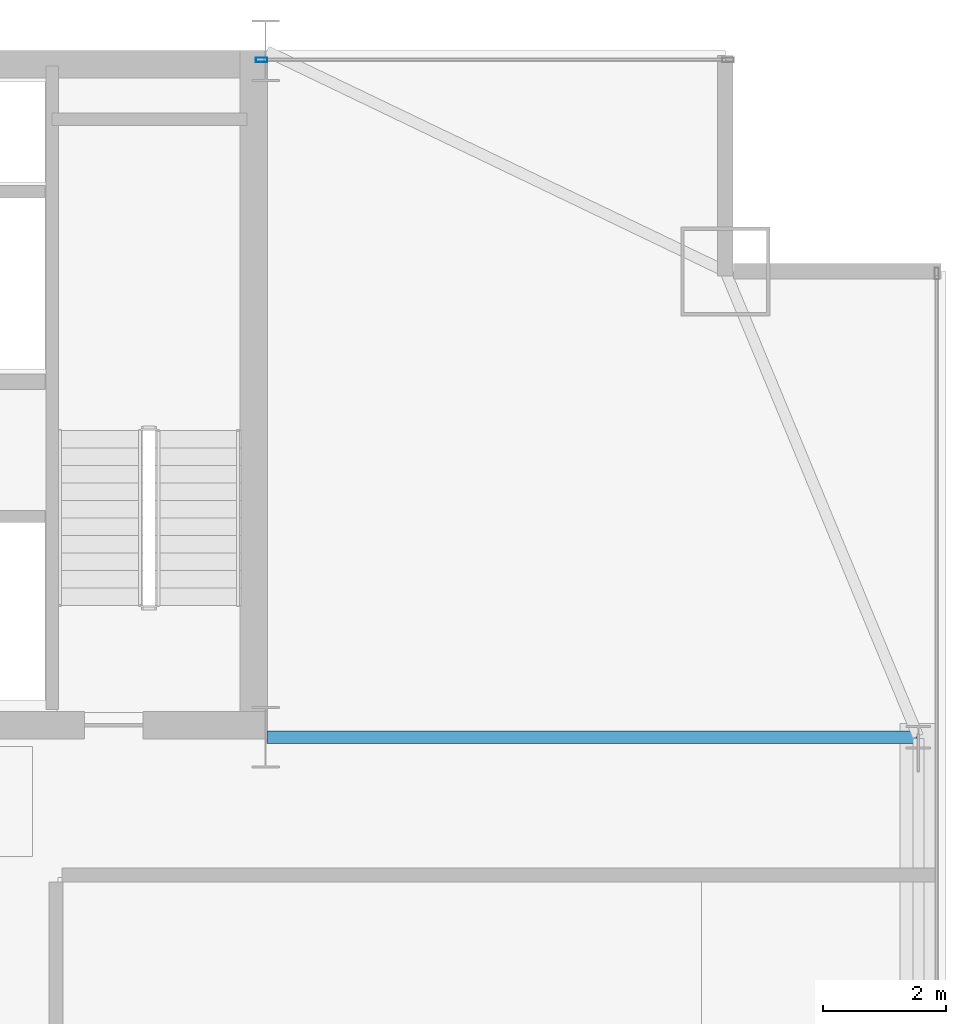
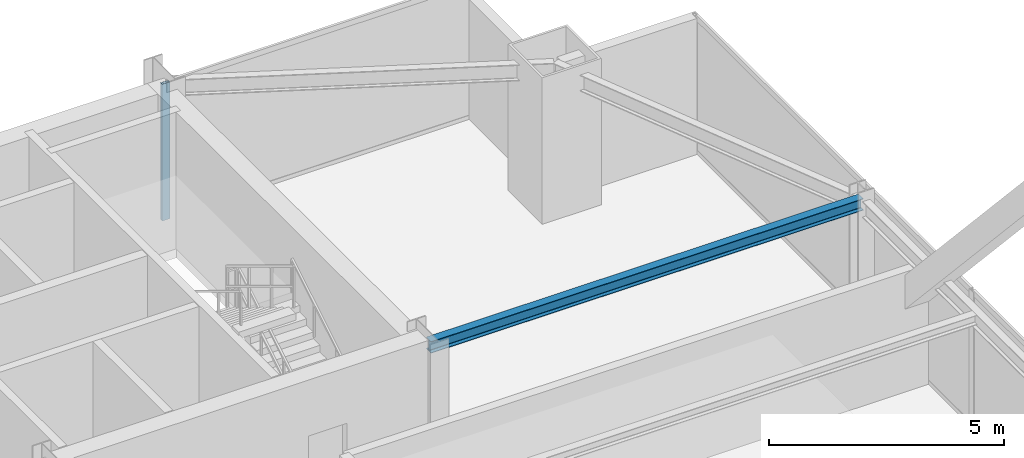
# One storey, part 26 of 38: 1 beam, 1 member, 1 element without a shape of its own.
"""IFC4 building model written with IfcOpenShell, lengths in metres."""

import ifcopenshell
import ifcopenshell.guid

model = None  # the IFC model being written
_history = None  # IfcOwnerHistory: only IFC2X3 demands one
_inside = {}  # id of a spatial element -> (the spatial element, [elements in it])
_under = {}  # id of a project, library or spatial element -> (it, [spatial elements below it])
_declared = {}  # id of a project -> (the project, [libraries it declares])
_typed = {}  # id of a type object -> (the type object, [elements of that type])
_made_of = {}  # id of a material, layer set ... -> (it, [elements and type objects made of it])


def new_model(schema):
    """Start an empty IFC model of exactly this schema.

    Asked for "IFC4X3", IfcOpenShell would pick the latest addendum, in which some entities
    have other attributes; the version numbers below select the first issue.
    IFC2X3 requires an IfcOwnerHistory on every rooted entity: one is made here for all.
    """
    global model, _history
    if schema == "IFC4X3":
        model = ifcopenshell.file(schema_version=(4, 3, 0, 0))
    else:
        model = ifcopenshell.file(schema=schema)
    _inside.clear()
    _under.clear()
    _declared.clear()
    _typed.clear()
    _made_of.clear()
    _history = None
    if model.schema == "IFC2X3":
        org = make("IfcOrganization", Name="unknown")
        user = make(
            "IfcPersonAndOrganization",
            ThePerson=make("IfcPerson", FamilyName="unknown"),
            TheOrganization=org,
        )
        app = make(
            "IfcApplication",
            ApplicationDeveloper=org,
            Version="unknown",
            ApplicationFullName="unknown",
            ApplicationIdentifier="unknown",
        )
        _history = make(
            "IfcOwnerHistory",
            OwningUser=user,
            OwningApplication=app,
            ChangeAction="ADDED",
            CreationDate=0,
        )
    return model


def make(cls, **values):
    """One entity of the class cls with the attributes given. An attribute that is None is left unset."""
    return model.create_entity(
        cls, **{name: value for name, value in values.items() if value is not None}
    )


def rooted(cls, **values):
    """An entity with a GlobalId (a new one), such as an element, a storey or a relation."""
    return make(cls, GlobalId=ifcopenshell.guid.new(), OwnerHistory=_history, **values)


def si_unit(unit_type, name, prefix=None):
    """IfcSIUnit, for example si_unit("LENGTHUNIT", "METRE", prefix="MILLI")."""
    return make("IfcSIUnit", UnitType=unit_type, Prefix=prefix, Name=name)


def assignment(units):
    """IfcUnitAssignment: the units of a project."""
    return None if units is None else make("IfcUnitAssignment", Units=units)


def point(xyz):
    """IfcCartesianPoint."""
    return None if xyz is None else make("IfcCartesianPoint", Coordinates=xyz)


def direction(xyz):
    """IfcDirection."""
    return None if xyz is None else make("IfcDirection", DirectionRatios=xyz)


def frame(location, z_axis=None, x_axis=None):
    """IfcAxis2Placement3D, a coordinate frame: its origin and axes. An axis left out is left unset."""
    return make(
        "IfcAxis2Placement3D",
        Location=point(location),
        Axis=direction(z_axis),
        RefDirection=direction(x_axis),
    )


def frame_2d(location, x_axis=None):
    """IfcAxis2Placement2D, a coordinate frame in the plane: its origin and x axis."""
    return make(
        "IfcAxis2Placement2D", Location=point(location), RefDirection=direction(x_axis)
    )


def origin():
    """The frame at (0, 0, 0) with its axes left unset."""
    return frame((0.0, 0.0, 0.0))


def origin_2d():
    """The frame at (0, 0) in the plane with its x axis left unset."""
    return frame_2d((0.0, 0.0))


def place(relative_to, where):
    """IfcLocalPlacement: puts the frame where relative to a parent placement (None: the world)."""
    return make(
        "IfcLocalPlacement", PlacementRelTo=relative_to, RelativePlacement=where
    )


def context(
    kind, dimensions, precision=None, world=None, true_north=None, identifier=None
):
    """IfcGeometricRepresentationContext, for example the 3D "Model" context."""
    return make(
        "IfcGeometricRepresentationContext",
        ContextIdentifier=identifier,
        ContextType=kind,
        CoordinateSpaceDimension=dimensions,
        Precision=precision,
        WorldCoordinateSystem=world,
        TrueNorth=true_north,
    )


def subcontext(parent, identifier, kind, view, scale=None):
    """IfcGeometricRepresentationSubContext, for example "Body" below "Model"."""
    return make(
        "IfcGeometricRepresentationSubContext",
        ContextIdentifier=identifier,
        ContextType=kind,
        ParentContext=parent,
        TargetScale=scale,
        TargetView=view,
    )


def project(units=None, contexts=None):
    """IfcProject with its units and contexts."""
    return rooted(
        "IfcProject",
        Name="project",
        RepresentationContexts=contexts,
        UnitsInContext=assignment(units),
    )


def spatial(cls, under=None, at=None, **own):
    """A site, building, storey or space (cls), placed at a placement, below another one or the project."""
    s = rooted(cls, ObjectPlacement=at, **own)
    if under is not None:
        _under.setdefault(under.id(), (under, []))[1].append(s)
    return s


def profile(cls, at=None, kind="AREA", **sizes):
    """A parametric profile (cls). Its sizes go by their IFC names, for example OverallWidth=200.0."""
    return make(cls, ProfileType=kind, Position=at, **sizes)


def hollow_rectangle(**sizes):
    """IfcRectangleHollowProfileDef."""
    return profile("IfcRectangleHollowProfileDef", **sizes)


def i_section(**sizes):
    """IfcIShapeProfileDef."""
    return profile("IfcIShapeProfileDef", **sizes)


def extrude(swept, where, along, depth):
    """IfcExtrudedAreaSolid: the profile swept, set in the frame where, extruded along a direction by depth."""
    return make(
        "IfcExtrudedAreaSolid",
        SweptArea=swept,
        Position=where,
        ExtrudedDirection=direction(along),
        Depth=depth,
    )


def shape(context_of_items, identifier, shape_type, items):
    """IfcShapeRepresentation: the items that make up one representation, for example the "Body"."""
    return make(
        "IfcShapeRepresentation",
        ContextOfItems=context_of_items,
        RepresentationIdentifier=identifier,
        RepresentationType=shape_type,
        Items=items,
    )


def source(mapping_origin, context_of_items, identifier, shape_type, items):
    """IfcRepresentationMap: a shape defined once, which mapped items show again and again."""
    return make(
        "IfcRepresentationMap",
        MappingOrigin=mapping_origin,
        MappedRepresentation=shape(context_of_items, identifier, shape_type, items),
    )


def transform(
    local_origin,
    x_axis=None,
    y_axis=None,
    z_axis=None,
    scale=None,
    scale2=None,
    scale3=None,
    uniform=True,
):
    """IfcCartesianTransformationOperator3D, or its non-uniform kind. x_axis, y_axis, z_axis: its Axis1, 2, 3."""
    if uniform:
        return make(
            "IfcCartesianTransformationOperator3D",
            Axis1=direction(x_axis),
            Axis2=direction(y_axis),
            LocalOrigin=point(local_origin),
            Scale=scale,
            Axis3=direction(z_axis),
        )
    return make(
        "IfcCartesianTransformationOperator3DnonUniform",
        Axis1=direction(x_axis),
        Axis2=direction(y_axis),
        LocalOrigin=point(local_origin),
        Scale=scale,
        Axis3=direction(z_axis),
        Scale2=scale2,
        Scale3=scale3,
    )


def mapped(mapping_source, mapping_target):
    """IfcMappedItem: shows the shape of a source again, moved by a transform."""
    return make(
        "IfcMappedItem", MappingSource=mapping_source, MappingTarget=mapping_target
    )


def material(Name=None, Category=None):
    """IfcMaterial."""
    return make("IfcMaterial", Name=Name, Category=Category)


def layer(
    of_material, thickness, ventilated=None, Name=None, Category=None, Priority=None
):
    """IfcMaterialLayer: one layer of a wall or slab, of a material (None: an air gap)."""
    return make(
        "IfcMaterialLayer",
        Material=of_material,
        LayerThickness=thickness,
        IsVentilated=ventilated,
        Name=Name,
        Category=Category,
        Priority=Priority,
    )


def layer_set(layers, Name=None):
    """IfcMaterialLayerSet."""
    return make("IfcMaterialLayerSet", MaterialLayers=layers, LayerSetName=Name)


def material_profile(
    of_material, cross_section, Name=None, Category=None, Priority=None
):
    """IfcMaterialProfile: a cross section and its material."""
    return make(
        "IfcMaterialProfile",
        Name=Name,
        Material=of_material,
        Profile=cross_section,
        Priority=Priority,
        Category=Category,
    )


def profile_set(profiles, Name=None, composite=None):
    """IfcMaterialProfileSet."""
    return make(
        "IfcMaterialProfileSet",
        Name=Name,
        MaterialProfiles=profiles,
        CompositeProfile=composite,
    )


def made_of(thing, what):
    """Note that an element or type object is made of a material, layer set ...; save() writes the relation."""
    if what is not None:
        _made_of.setdefault(what.id(), (what, []))[1].append(thing)
    return thing


def type_object(cls, material=None, **own):
    """A type object (cls), such as IfcWallType, which elements share."""
    return made_of(rooted(cls, **own), material)


def type_shapes(of_type, sources):
    """Give a type object the sources (RepresentationMaps) that its elements show as mapped items."""
    of_type.RepresentationMaps = sources


def element(
    cls,
    number,
    at=None,
    inside=None,
    cuts=None,
    type_object=None,
    material=None,
    context=None,
    identifier="Body",
    shape_type=None,
    held_by="IfcProductDefinitionShape",
    body=None,
    shapes=None,
    **own,
):
    """One element of the class cls, such as IfcWall. Its Tag is "e" and its number.

    at: its placement. inside: the storey or other place that contains it. cuts: it is an
    opening in that element (IfcRelVoidsElement). A single representation is given by context,
    identifier, shape_type and body (its items); several are given by shapes. held_by: the class
    of the entity that holds the representations. save() writes the other relations.
    """
    e = rooted(cls, Tag="e%d" % number, ObjectPlacement=at, **own)
    if body is not None:
        shapes = [shape(context, identifier, shape_type, body)]
    if shapes is not None:
        e.Representation = make(held_by, Representations=shapes)
    if inside is not None:
        _inside.setdefault(inside.id(), (inside, []))[1].append(e)
    if cuts is not None:
        rooted(
            "IfcRelVoidsElement", RelatingBuildingElement=cuts, RelatedOpeningElement=e
        )
    if type_object is not None:
        _typed.setdefault(type_object.id(), (type_object, []))[1].append(e)
    return made_of(e, material)


def aggregate(whole, parts):
    """IfcRelAggregates: a whole, such as a stair, and the parts it consists of."""
    return rooted("IfcRelAggregates", RelatingObject=whole, RelatedObjects=parts)


def save(model, path):
    """Write the relations noted so far, then the file.

    IfcRelAggregates (storeys below a building ...), IfcRelContainedInSpatialStructure (elements
    in a storey), IfcRelDefinesByType, IfcRelAssociatesMaterial and IfcRelDeclares: one each for
    every whole, place, type object, material and project.
    """
    for whole, parts in _under.values():
        aggregate(whole, parts)
    for where, things in _inside.values():
        rooted(
            "IfcRelContainedInSpatialStructure",
            RelatedElements=things,
            RelatingStructure=where,
        )
    for kind, things in _typed.values():
        rooted("IfcRelDefinesByType", RelatedObjects=things, RelatingType=kind)
    for what, things in _made_of.values():
        rooted("IfcRelAssociatesMaterial", RelatedObjects=things, RelatingMaterial=what)
    for by, libraries in _declared.values():
        rooted("IfcRelDeclares", RelatingContext=by, RelatedDefinitions=libraries)
    model.write(path)


model = new_model("IFC4")

# Units and contexts
model_context = context("Model", 3, precision=1e-05, world=origin(), true_north=direction((0.0, 1.0)))
body_context = subcontext(model_context, "Body", "Model", "MODEL_VIEW")
ifc_project = project(units=[si_unit("LENGTHUNIT", "METRE"), si_unit("AREAUNIT", "SQUARE_METRE"), si_unit("VOLUMEUNIT", "CUBIC_METRE"), si_unit("PLANEANGLEUNIT", "RADIAN"), si_unit("MASSUNIT", "GRAM", prefix="KILO")], contexts=[model_context])

# Site, building, storey
site_placement = place(None, origin())
site = spatial("IfcSite", under=ifc_project, at=site_placement, CompositionType="ELEMENT")
building_placement = place(site_placement, origin())
building = spatial("IfcBuilding", under=site, at=building_placement, Name="Varnel Quay Broadcast Tower", CompositionType="ELEMENT")
storey_placement = place(building_placement, frame((0.0, 0.0, 118.199951171875)))
storey = spatial("IfcBuildingStorey", under=building, at=storey_placement, Name="L28", CompositionType="ELEMENT", Elevation=118.199951171875)

# Beam
ifc_material_1 = material(Name="Structural Steel CSA G40.21 350W", Category="steel")
ifc_material_profile_1 = material_profile(ifc_material_1, i_section(OverallWidth=0.202880859375, OverallDepth=0.302978515625, WebThickness=0.007568359375, FlangeThickness=0.01318359375, FilletRadius=0.011962890625, at=origin_2d()), Name="W310X60")
ifc_profile_set_1 = profile_set([ifc_material_profile_1], Name="Structural Steel CSA G40.21 350W")
beam_type = type_object("IfcBeamType", Name="Beam_W310X60", PredefinedType="JOIST", material=ifc_profile_set_1)
shared_shape_1 = source(origin(), body_context, "Body", "SweptSolid", [
    extrude(i_section(OverallWidth=0.202880859375, OverallDepth=0.302978515625, WebThickness=0.007568359375, FlangeThickness=0.01318359375, FilletRadius=0.011962890625, at=origin_2d()), origin(), (0.0, 0.0, 1.0), 10.610107421875),
])
type_shapes(beam_type, [shared_shape_1])
beam_placement = place(storey_placement, frame((52.419921875, 35.60009765625, 3.3984375), z_axis=(1.0, 0.0, 0.0), x_axis=(0.0, 1.0, 0.0)))
element("IfcBeam", 1, at=beam_placement, inside=storey, type_object=beam_type, Name="L28 East Core Tie Joist", PredefinedType="JOIST", context=body_context, shape_type="MappedRepresentation", body=[
    mapped(shared_shape_1, transform((0.0, 0.0, 0.0), x_axis=(1.0, 0.0, 0.0), y_axis=(0.0, 1.0, 0.0), z_axis=(0.0, 0.0, 1.0), scale=1.0)),
])

# Curtain wall, member
ifc_material_2 = material(Name="Anodised Bronze Aluminium 6063-T6", Category="aluminium")
ifc_layer = layer(ifc_material_2, 0.18994140625, Name="Anodised Bronze Aluminium 6063-T6")
ifc_layer_set = layer_set([ifc_layer], Name="Anodised Bronze Aluminium 6063-T6")
curtain_wall_type = type_object("IfcCurtainWallType", Name="CW_LowerTower", PredefinedType="NOTDEFINED", material=ifc_layer_set)
curtain_wall_placement = place(storey_placement, origin())
curtain_wall = element("IfcCurtainWall", 2, at=curtain_wall_placement, inside=storey, type_object=curtain_wall_type, Name="L28 NE Wing Curtain Wall", PredefinedType="NOTDEFINED")
ifc_material_profile_2 = material_profile(ifc_material_2, hollow_rectangle(XDim=0.070068359375, YDim=0.18994140625, WallThickness=0.00390625, at=origin_2d()), Name="ALU70X190X4")
ifc_profile_set_2 = profile_set([ifc_material_profile_2], Name="Anodised Bronze Aluminium 6063-T6")
member_type = type_object("IfcMemberType", Name="Mull_CWS-02", PredefinedType="MULLION", material=ifc_profile_set_2)
shared_shape_2 = source(origin(), body_context, "Body", "SweptSolid", [
    extrude(hollow_rectangle(XDim=0.070068359375, YDim=0.18994140625, WallThickness=0.00390625, at=origin_2d()), origin(), (0.0, 0.0, 1.0), 3.550048828125),
])
type_shapes(member_type, [shared_shape_2])
member_placement = place(storey_placement, frame((52.3349609375, 46.64990234375, 0.0), z_axis=(0.0, 0.0, 1.0), x_axis=(0.0, 1.0, 0.0)))
member = element("IfcMember", 3, at=member_placement, type_object=member_type, Name="CWS-02 mullion 1", PredefinedType="MULLION", context=body_context, shape_type="MappedRepresentation", body=[
    mapped(shared_shape_2, transform((0.0, 0.0, 0.0), x_axis=(1.0, 0.0, 0.0), y_axis=(0.0, 1.0, 0.0), z_axis=(0.0, 0.0, 1.0), scale=1.0)),
])
aggregate(curtain_wall, [member])

save(model, "model.ifc")
